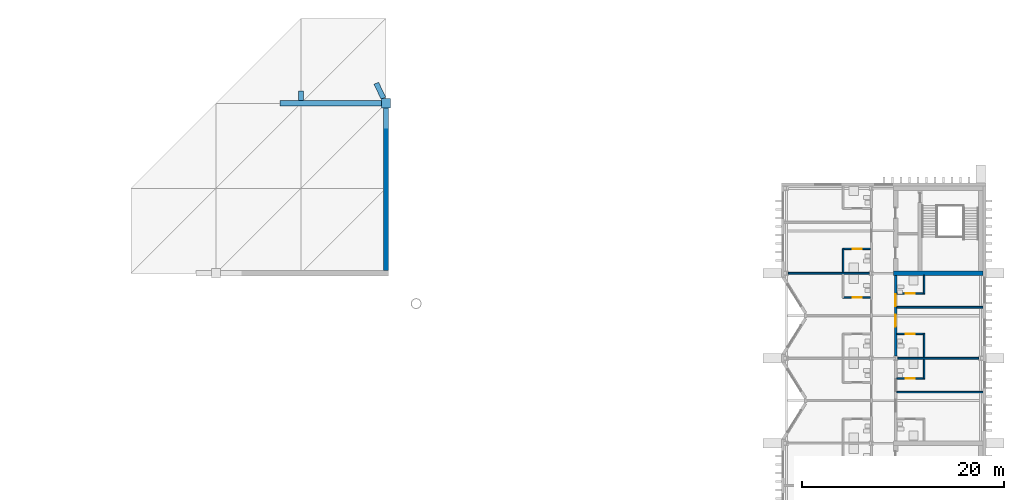
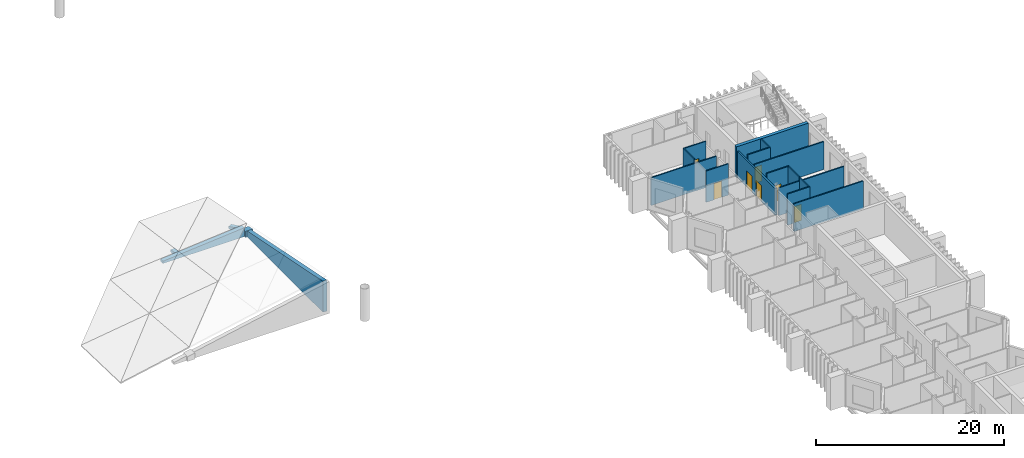
# One storey, part 13 of 17: 20 walls, 7 doors, 7 openings.
"""IFC4 building model written with IfcOpenShell, lengths in metres."""

from ifc_helpers import new_model, si_unit, direction, frame, frame_2d, origin, place, context, subcontext, project, spatial, polyline, rectangle, outline, extrude, material, layer, layer_set, type_object, element, fill, save


model = new_model("IFC4")

# Units and contexts
model_context = context("Model", 3, precision=1e-05, world=origin(), true_north=direction((0.0, 1.0)))
body_context = subcontext(model_context, "Body", "Model", "MODEL_VIEW")
ifc_project = project(units=[si_unit("LENGTHUNIT", "METRE"), si_unit("AREAUNIT", "SQUARE_METRE"), si_unit("VOLUMEUNIT", "CUBIC_METRE"), si_unit("PLANEANGLEUNIT", "RADIAN"), si_unit("MASSUNIT", "GRAM", prefix="KILO")], contexts=[model_context])

# Site, building, storey
site_placement = place(None, origin())
site = spatial("IfcSite", under=ifc_project, at=site_placement, CompositionType="ELEMENT")
building_placement = place(site_placement, origin())
building = spatial("IfcBuilding", under=site, at=building_placement, Name="Cresset Court Congress Hotel", CompositionType="ELEMENT")
storey_placement = place(building_placement, frame((0.0, 0.0, 31.199951171875)))
storey = spatial("IfcBuildingStorey", under=building, at=storey_placement, Name="L07", CompositionType="ELEMENT", Elevation=31.199951171875)

# Wall, openings, doors
ifc_material_1 = material(Name="Gypsum board partition")
ifc_layer_1 = layer(ifc_material_1, 0.199951171875)
ifc_layer_set_1 = layer_set([ifc_layer_1], Name="Corridor wall 200")
wall_type_1 = type_object("IfcWallType", Name="Corridor wall 200", PredefinedType="PARTITIONING", material=ifc_layer_set_1)
wall_1_placement = place(storey_placement, frame((168.0, 50.60009765625, 0.0), z_axis=(0.0, 0.0, 1.0), x_axis=(0.0, 1.0, 0.0)))
wall_1 = element("IfcWall", 1, at=wall_1_placement, inside=storey, type_object=wall_type_1, Name="A.wl.L07.081", PredefinedType="PARTITIONING", context=body_context, shape_type="SweptSolid", body=[
    extrude(rectangle(XDim=8.0, YDim=0.199951171875, at=frame_2d((4.0, 0.0))), origin(), (0.0, 0.0, 1.0), 3.449951171875),
])
opening_1_placement = place(wall_1_placement, frame((2.919921875, 0.0, 0.0)))
opening_1 = element("IfcOpeningElement", 2, at=opening_1_placement, cuts=wall_1, Name="Opening DA-07-46", PredefinedType="OPENING", context=body_context, shape_type="SweptSolid", body=[
    extrude(rectangle(XDim=1.199951171875, YDim=2.10009765625, at=frame_2d((0.60009765625, 1.050048828125))), frame((0.0, 0.10986328125, 0.0), z_axis=(0.0, -1.0, 0.0), x_axis=(1.0, 0.0, 0.0)), (0.0, 0.0, 1.0), 0.219970703125),
])
opening_2_placement = place(wall_1_placement, frame((4.919921875, 0.0, 0.0)))
opening_2 = element("IfcOpeningElement", 3, at=opening_2_placement, cuts=wall_1, Name="Opening DA-07-48", PredefinedType="OPENING", context=body_context, shape_type="SweptSolid", body=[
    extrude(rectangle(XDim=1.199951171875, YDim=2.10009765625, at=frame_2d((0.60009765625, 1.050048828125))), frame((0.0, 0.10986328125, 0.0), z_axis=(0.0, -1.0, 0.0), x_axis=(1.0, 0.0, 0.0)), (0.0, 0.0, 1.0), 0.219970703125),
])
ifc_material_2 = material(Name="timber", Category="wood")
door_type_1 = type_object("IfcDoorType", Name="Guest-room entry door 1200x2100 FD30S", OperationType="SINGLE_SWING_LEFT", PredefinedType="DOOR", material=ifc_material_2)
door_1_placement = place(opening_1_placement, origin())
door_1 = element("IfcDoor", 4, at=door_1_placement, inside=storey, type_object=door_type_1, Name="Door DA-07-46", OperationType="SINGLE_SWING_RIGHT", OverallHeight=2.10009765625, OverallWidth=1.199951171875, PredefinedType="DOOR", context=body_context, shape_type="SweptSolid", body=[
    extrude(rectangle(XDim=1.199951171875, YDim=2.10009765625, at=frame_2d((0.60009765625, 1.050048828125))), frame((0.0, 0.02490234375, 0.0), z_axis=(0.0, -1.0, 0.0), x_axis=(1.0, 0.0, 0.0)), (0.0, 0.0, 1.0), 0.050048828125),
])
fill(opening_1, door_1)
door_2_placement = place(opening_2_placement, origin())
door_2 = element("IfcDoor", 5, at=door_2_placement, inside=storey, type_object=door_type_1, Name="Door DA-07-48", OperationType="SINGLE_SWING_LEFT", OverallHeight=2.10009765625, OverallWidth=1.199951171875, PredefinedType="DOOR", context=body_context, shape_type="SweptSolid", body=[
    extrude(rectangle(XDim=1.199951171875, YDim=2.10009765625, at=frame_2d((0.60009765625, 1.050048828125))), frame((0.0, 0.02490234375, 0.0), z_axis=(0.0, -1.0, 0.0), x_axis=(1.0, 0.0, 0.0)), (0.0, 0.0, 1.0), 0.050048828125),
])
fill(opening_2, door_2)

# Wall, opening, door
ifc_material_3 = material(Name="Gypsum board partition")
ifc_layer_2 = layer(ifc_material_3, 0.14990234375)
ifc_layer_set_2 = layer_set([ifc_layer_2], Name="En-suite wall 150")
wall_type_2 = type_object("IfcWallType", Name="En-suite wall 150", PredefinedType="PARTITIONING", material=ifc_layer_set_2)
wall_2_placement = place(storey_placement, frame((162.75, 56.39990234375, 0.0), z_axis=(0.0, 0.0, 1.0), x_axis=(1.0, 0.0, 0.0)))
wall_2 = element("IfcWall", 6, at=wall_2_placement, inside=storey, type_object=wall_type_2, Name="A.wl.L07.028", PredefinedType="PARTITIONING", context=body_context, shape_type="SweptSolid", body=[
    extrude(rectangle(XDim=2.75, YDim=0.14990234375, at=frame_2d((1.375, 0.0))), origin(), (0.0, 0.0, 1.0), 4.050048828125),
])
opening_3_placement = place(wall_2_placement, frame((0.97998046875, 0.0, 0.0)))
opening_3 = element("IfcOpeningElement", 7, at=opening_3_placement, cuts=wall_2, Name="Opening DA-07-27", PredefinedType="OPENING", context=body_context, shape_type="SweptSolid", body=[
    extrude(rectangle(XDim=0.89990234375, YDim=2.10009765625, at=frame_2d((0.449951171875, 1.050048828125))), frame((0.0, 0.0849609375, 0.0), z_axis=(0.0, -1.0, 0.0), x_axis=(1.0, 0.0, 0.0)), (0.0, 0.0, 1.0), 0.169921875),
])
ifc_material_4 = material(Name="timber", Category="wood")
door_type_2 = type_object("IfcDoorType", Name="En-suite door 900x2100", OperationType="SINGLE_SWING_LEFT", PredefinedType="DOOR", material=ifc_material_4)
door_3_placement = place(opening_3_placement, origin())
door_3 = element("IfcDoor", 8, at=door_3_placement, inside=storey, type_object=door_type_2, Name="Door DA-07-27", OperationType="SINGLE_SWING_LEFT", OverallHeight=2.10009765625, OverallWidth=0.89990234375, PredefinedType="DOOR", context=body_context, shape_type="SweptSolid", body=[
    extrude(rectangle(XDim=0.89990234375, YDim=2.10009765625, at=frame_2d((0.449951171875, 1.050048828125))), frame((0.0, 0.02490234375, 0.0), z_axis=(0.0, -1.0, 0.0), x_axis=(1.0, 0.0, 0.0)), (0.0, 0.0, 1.0), 0.050048828125),
])
fill(opening_3, door_3)

# Wall
wall_3_placement = place(storey_placement, frame((162.800048828125, 58.875, 0.0), z_axis=(0.0, 0.0, 1.0), x_axis=(0.0, 1.0, 0.0)))
element("IfcWall", 9, at=wall_3_placement, inside=storey, type_object=wall_type_2, Name="A.wl.L07.029", PredefinedType="PARTITIONING", context=body_context, shape_type="SweptSolid", body=[
    extrude(rectangle(XDim=2.324951171875, YDim=0.14990234375, at=frame_2d((1.16259765625, 0.0))), origin(), (0.0, 0.0, 1.0), 4.050048828125),
])

# Wall, opening, door
wall_4_placement = place(storey_placement, frame((162.75, 61.199951171875, 0.0), z_axis=(0.0, 0.0, 1.0), x_axis=(1.0, 0.0, 0.0)))
wall_4 = element("IfcWall", 10, at=wall_4_placement, inside=storey, type_object=wall_type_2, Name="A.wl.L07.030", PredefinedType="PARTITIONING", context=body_context, shape_type="SweptSolid", body=[
    extrude(rectangle(XDim=2.75, YDim=0.14990234375, at=frame_2d((1.375, 0.0))), origin(), (0.0, 0.0, 1.0), 4.050048828125),
])
opening_4_placement = place(wall_4_placement, frame((0.97998046875, 0.0, 0.0)))
opening_4 = element("IfcOpeningElement", 11, at=opening_4_placement, cuts=wall_4, Name="Opening DA-07-29", PredefinedType="OPENING", context=body_context, shape_type="SweptSolid", body=[
    extrude(rectangle(XDim=0.89990234375, YDim=2.10009765625, at=frame_2d((0.449951171875, 1.050048828125))), frame((0.0, 0.0849609375, 0.0), z_axis=(0.0, -1.0, 0.0), x_axis=(1.0, 0.0, 0.0)), (0.0, 0.0, 1.0), 0.169921875),
])
door_4_placement = place(opening_4_placement, origin())
door_4 = element("IfcDoor", 12, at=door_4_placement, inside=storey, type_object=door_type_2, Name="Door DA-07-29", OperationType="SINGLE_SWING_RIGHT", OverallHeight=2.10009765625, OverallWidth=0.89990234375, PredefinedType="DOOR", context=body_context, shape_type="SweptSolid", body=[
    extrude(rectangle(XDim=0.89990234375, YDim=2.10009765625, at=frame_2d((0.449951171875, 1.050048828125))), frame((0.0, 0.02490234375, 0.0), z_axis=(0.0, -1.0, 0.0), x_axis=(1.0, 0.0, 0.0)), (0.0, 0.0, 1.0), 0.050048828125),
])
fill(opening_4, door_4)

# Wall
wall_5_placement = place(storey_placement, frame((170.800048828125, 48.39990234375, 0.0), z_axis=(0.0, 0.0, 1.0), x_axis=(0.0, 1.0, 0.0)))
element("IfcWall", 13, at=wall_5_placement, inside=storey, type_object=wall_type_2, Name="A.wl.L07.043", PredefinedType="PARTITIONING", context=body_context, shape_type="SweptSolid", body=[
    extrude(rectangle(XDim=1.925048828125, YDim=0.14990234375, at=frame_2d((0.96240234375, 0.0))), origin(), (0.0, 0.0, 1.0), 4.050048828125),
])

# Wall, opening, door
wall_6_placement = place(storey_placement, frame((170.85009765625, 48.39990234375, 0.0), z_axis=(0.0, 0.0, 1.0), x_axis=(-1.0, 0.0, 0.0)))
wall_6 = element("IfcWall", 14, at=wall_6_placement, inside=storey, type_object=wall_type_2, Name="A.wl.L07.044", PredefinedType="PARTITIONING", context=body_context, shape_type="SweptSolid", body=[
    extrude(rectangle(XDim=2.75, YDim=0.14990234375, at=frame_2d((1.375, 0.0))), origin(), (0.0, 0.0, 1.0), 4.050048828125),
])
opening_5_placement = place(wall_6_placement, frame((0.97998046875, 0.0, 0.0)))
opening_5 = element("IfcOpeningElement", 15, at=opening_5_placement, cuts=wall_6, Name="Opening DA-07-43", PredefinedType="OPENING", context=body_context, shape_type="SweptSolid", body=[
    extrude(rectangle(XDim=0.89990234375, YDim=2.10009765625, at=frame_2d((0.449951171875, 1.050048828125))), frame((0.0, 0.0849609375, 0.0), z_axis=(0.0, -1.0, 0.0), x_axis=(1.0, 0.0, 0.0)), (0.0, 0.0, 1.0), 0.169921875),
])
door_5_placement = place(opening_5_placement, origin())
door_5 = element("IfcDoor", 16, at=door_5_placement, inside=storey, type_object=door_type_2, Name="Door DA-07-43", OperationType="SINGLE_SWING_LEFT", OverallHeight=2.10009765625, OverallWidth=0.89990234375, PredefinedType="DOOR", context=body_context, shape_type="SweptSolid", body=[
    extrude(rectangle(XDim=0.89990234375, YDim=2.10009765625, at=frame_2d((0.449951171875, 1.050048828125))), frame((0.0, 0.02490234375, 0.0), z_axis=(0.0, -1.0, 0.0), x_axis=(1.0, 0.0, 0.0)), (0.0, 0.0, 1.0), 0.050048828125),
])
fill(opening_5, door_5)

# Wall
wall_7_placement = place(storey_placement, frame((170.800048828125, 50.47509765625, 0.0), z_axis=(0.0, 0.0, 1.0), x_axis=(0.0, 1.0, 0.0)))
element("IfcWall", 17, at=wall_7_placement, inside=storey, type_object=wall_type_2, Name="A.wl.L07.045", PredefinedType="PARTITIONING", context=body_context, shape_type="SweptSolid", body=[
    extrude(rectangle(XDim=2.324951171875, YDim=0.14990234375, at=frame_2d((1.16259765625, 0.0))), origin(), (0.0, 0.0, 1.0), 4.050048828125),
])

# Wall, opening, door
wall_8_placement = place(storey_placement, frame((170.85009765625, 52.800048828125, 0.0), z_axis=(0.0, 0.0, 1.0), x_axis=(-1.0, 0.0, 0.0)))
wall_8 = element("IfcWall", 18, at=wall_8_placement, inside=storey, type_object=wall_type_2, Name="A.wl.L07.046", PredefinedType="PARTITIONING", context=body_context, shape_type="SweptSolid", body=[
    extrude(rectangle(XDim=2.75, YDim=0.14990234375, at=frame_2d((1.375, 0.0))), origin(), (0.0, 0.0, 1.0), 4.050048828125),
])
opening_6_placement = place(wall_8_placement, frame((0.97998046875, 0.0, 0.0)))
opening_6 = element("IfcOpeningElement", 19, at=opening_6_placement, cuts=wall_8, Name="Opening DA-07-45", PredefinedType="OPENING", context=body_context, shape_type="SweptSolid", body=[
    extrude(rectangle(XDim=0.89990234375, YDim=2.10009765625, at=frame_2d((0.449951171875, 1.050048828125))), frame((0.0, 0.0849609375, 0.0), z_axis=(0.0, -1.0, 0.0), x_axis=(1.0, 0.0, 0.0)), (0.0, 0.0, 1.0), 0.169921875),
])
door_6_placement = place(opening_6_placement, origin())
door_6 = element("IfcDoor", 20, at=door_6_placement, inside=storey, type_object=door_type_2, Name="Door DA-07-45", OperationType="SINGLE_SWING_RIGHT", OverallHeight=2.10009765625, OverallWidth=0.89990234375, PredefinedType="DOOR", context=body_context, shape_type="SweptSolid", body=[
    extrude(rectangle(XDim=0.89990234375, YDim=2.10009765625, at=frame_2d((0.449951171875, 1.050048828125))), frame((0.0, 0.02490234375, 0.0), z_axis=(0.0, -1.0, 0.0), x_axis=(1.0, 0.0, 0.0)), (0.0, 0.0, 1.0), 0.050048828125),
])
fill(opening_6, door_6)

# Wall
wall_9_placement = place(storey_placement, frame((170.800048828125, 56.800048828125, 0.0), z_axis=(0.0, 0.0, 1.0), x_axis=(0.0, 1.0, 0.0)))
element("IfcWall", 21, at=wall_9_placement, inside=storey, type_object=wall_type_2, Name="A.wl.L07.047", PredefinedType="PARTITIONING", context=body_context, shape_type="SweptSolid", body=[
    extrude(rectangle(XDim=1.800048828125, YDim=0.14990234375, at=frame_2d((0.89990234375, 0.0))), origin(), (0.0, 0.0, 1.0), 4.050048828125),
])

# Wall, opening, door
wall_10_placement = place(storey_placement, frame((170.85009765625, 56.800048828125, 0.0), z_axis=(0.0, 0.0, 1.0), x_axis=(-1.0, 0.0, 0.0)))
wall_10 = element("IfcWall", 22, at=wall_10_placement, inside=storey, type_object=wall_type_2, Name="A.wl.L07.048", PredefinedType="PARTITIONING", context=body_context, shape_type="SweptSolid", body=[
    extrude(rectangle(XDim=2.75, YDim=0.14990234375, at=frame_2d((1.375, 0.0))), origin(), (0.0, 0.0, 1.0), 4.050048828125),
])
opening_7_placement = place(wall_10_placement, frame((0.97998046875, 0.0, 0.0)))
opening_7 = element("IfcOpeningElement", 23, at=opening_7_placement, cuts=wall_10, Name="Opening DA-07-47", PredefinedType="OPENING", context=body_context, shape_type="SweptSolid", body=[
    extrude(rectangle(XDim=0.89990234375, YDim=2.10009765625, at=frame_2d((0.449951171875, 1.050048828125))), frame((0.0, 0.0849609375, 0.0), z_axis=(0.0, -1.0, 0.0), x_axis=(1.0, 0.0, 0.0)), (0.0, 0.0, 1.0), 0.169921875),
])
door_7_placement = place(opening_7_placement, origin())
door_7 = element("IfcDoor", 24, at=door_7_placement, inside=storey, type_object=door_type_2, Name="Door DA-07-47", OperationType="SINGLE_SWING_LEFT", OverallHeight=2.10009765625, OverallWidth=0.89990234375, PredefinedType="DOOR", context=body_context, shape_type="SweptSolid", body=[
    extrude(rectangle(XDim=0.89990234375, YDim=2.10009765625, at=frame_2d((0.449951171875, 1.050048828125))), frame((0.0, 0.02490234375, 0.0), z_axis=(0.0, -1.0, 0.0), x_axis=(1.0, 0.0, 0.0)), (0.0, 0.0, 1.0), 0.050048828125),
])
fill(opening_7, door_7)

# Walls
ifc_material_5 = material(Name="Gypsum board partition")
ifc_layer_3 = layer(ifc_material_5, 0.14990234375)
ifc_layer_set_3 = layer_set([ifc_layer_3], Name="Guest-room partition 150")
wall_type_3 = type_object("IfcWallType", Name="Guest-room partition 150", PredefinedType="PARTITIONING", material=ifc_layer_set_3)
for number, where, z_axis, x_axis, name in (
    (25, (157.39990234375, 58.800048828125, 0.0), (0.0, 0.0, 1.0), (1.0, 0.0, 0.0), "A.wl.L07.055"),
    (26, (168.199951171875, 50.39990234375, 0.0), (0.0, 0.0, 1.0), (1.0, 0.0, 0.0), "A.wl.L07.057"),
):
    element("IfcWall", number, at=place(storey_placement, frame(where, z_axis=z_axis, x_axis=x_axis)), inside=storey, type_object=wall_type_3, Name=name, PredefinedType="PARTITIONING", context=body_context, shape_type="SweptSolid", body=[
        extrude(rectangle(XDim=8.0, YDim=0.14990234375, at=frame_2d((4.0, 0.0))), origin(), (0.0, 0.0, 1.0), 3.60400390625),
    ])
for number, where, z_axis, x_axis, name in (
    (27, (168.10009765625, 47.0400390625, 0.0), (0.0, 0.0, 1.0), (1.0, 0.0, 0.0), "A.wl.L07.068"),
    (28, (168.10009765625, 55.43994140625, 0.0), (0.0, 0.0, 1.0), (1.0, 0.0, 0.0), "A.wl.L07.069"),
):
    element("IfcWall", number, at=place(storey_placement, frame(where, z_axis=z_axis, x_axis=x_axis)), inside=storey, type_object=wall_type_3, Name=name, PredefinedType="PARTITIONING", context=body_context, shape_type="SweptSolid", body=[
        extrude(rectangle(XDim=8.52001953125, YDim=0.14990234375, at=frame_2d((4.260009765625, 0.0))), origin(), (0.0, 0.0, 1.0), 3.60400390625),
    ])
ifc_material_6 = material(Name="Concrete C50", Category="concrete")
ifc_layer_4 = layer(ifc_material_6, 0.5)
ifc_layer_set_4 = layer_set([ifc_layer_4], Name="Hall inner wall 500")
wall_type_4 = type_object("IfcWallType", Name="Hall inner wall 500", PredefinedType="SOLIDWALL", material=ifc_layer_set_4)
wall_11_placement = place(storey_placement, frame((107.152099609375, 75.60009765625, 0.0), z_axis=(0.0, 0.0, 1.0), x_axis=(1.0, 0.0, 0.0)))
element("IfcWall", 29, at=wall_11_placement, inside=storey, type_object=wall_type_4, Name="Wall CI-RL07", PredefinedType="SOLIDWALL", context=body_context, shape_type="SweptSolid", body=[
    extrude(outline(polyline([(0.0, 0.0), (9.997802734375, 0.0), (9.997802734375, 1.159912109375), (0.0, 0.300048828125), (0.0, 0.0)])), frame((0.0, 0.25, 0.0), z_axis=(0.0, -1.0, 0.0), x_axis=(1.0, 0.0, 0.0)), (0.0, 0.0, 1.0), 0.5),
])
wall_12_placement = place(storey_placement, frame((109.199951171875, 76.82861328125, 0.0), z_axis=(0.0, 0.0, 1.0), x_axis=(0.0, -1.0, 0.0)))
element("IfcWall", 30, at=wall_12_placement, inside=storey, type_object=wall_type_4, Name="Wall CI-EL07", PredefinedType="SOLIDWALL", context=body_context, shape_type="SweptSolid", body=[
    extrude(outline(polyline([(0.0, 0.0), (0.978515625, 0.0), (0.978759765625, 0.4404296875), (0.0, 0.300048828125), (0.0, 0.0)])), frame((0.0, 0.25, 0.0), z_axis=(0.0, -1.0, 0.0), x_axis=(1.0, 0.0, 0.0)), (0.0, 0.0, 1.0), 0.5),
])
ifc_material_7 = material(Name="Limestone-faced precast concrete C50", Category="masonry")
ifc_layer_5 = layer(ifc_material_7, 0.5)
ifc_layer_set_5 = layer_set([ifc_layer_5], Name="Hall perimeter wall 500")
wall_type_5 = type_object("IfcWallType", Name="Hall perimeter wall 500", PredefinedType="SOLIDWALL", material=ifc_layer_set_5)
wall_13_placement = place(storey_placement, frame((117.60009765625, 75.14990234375, 0.0), z_axis=(0.0, 0.0, 1.0), x_axis=(0.0, -1.0, 0.0)))
element("IfcWall", 31, at=wall_13_placement, inside=storey, type_object=wall_type_5, Name="Wall CW-EL07-1", PredefinedType="SOLIDWALL", context=body_context, shape_type="SweptSolid", body=[
    extrude(outline(polyline([(0.0, 0.0), (16.099853515625, 0.0), (16.10009765625, 4.018310546875), (0.0, 0.787353515625), (0.0, 0.0)])), frame((0.0, 0.25, 0.0), z_axis=(0.0, -1.0, 0.0), x_axis=(1.0, 0.0, 0.0)), (0.0, 0.0, 1.0), 0.5),
])
wall_14_placement = place(storey_placement, frame((116.65771484375, 77.578857421875, 0.0), z_axis=(0.0, 0.0, 1.0), x_axis=(0.429898862904, -0.902877050142, 0.0)))
element("IfcWall", 32, at=wall_14_placement, inside=storey, type_object=wall_type_5, Name="Wall CW-EL07-2", PredefinedType="SOLIDWALL", context=body_context, shape_type="SweptSolid", body=[
    extrude(outline(polyline([(0.0, 0.0), (1.637939453125, 0.0), (1.637939453125, 0.596923828125), (0.0, 0.300048828125), (0.0, 0.0)])), frame((0.0, 0.25, 0.0), z_axis=(0.0, -1.0, 0.0), x_axis=(1.0, 0.0, 0.0)), (0.0, 0.0, 1.0), 0.5),
])
ifc_material_8 = material(Name="Concrete C50", Category="concrete")
ifc_layer_6 = layer(ifc_material_8, 0.89990234375)
ifc_layer_set_6 = layer_set([ifc_layer_6], Name="Hall pilaster 900x900")
wall_type_6 = type_object("IfcWallType", Name="Hall pilaster 900x900", PredefinedType="SOLIDWALL", material=ifc_layer_set_6)
wall_15_placement = place(storey_placement, frame((117.60009765625, 75.14990234375, 0.0), z_axis=(0.0, 0.0, 1.0), x_axis=(0.0, 1.0, 0.0)))
element("IfcWall", 33, at=wall_15_placement, inside=storey, type_object=wall_type_6, Name="Pilaster P-E1", PredefinedType="SOLIDWALL", context=body_context, shape_type="SweptSolid", body=[
    extrude(outline(polyline([(0.0, 0.0), (0.900146484375, 0.0), (0.89990234375, 0.60693359375), (0.0, 0.787353515625), (0.0, 0.0)])), frame((0.0, 0.449951171875, 0.0), z_axis=(0.0, -1.0, 0.0), x_axis=(1.0, 0.0, 0.0)), (0.0, 0.0, 1.0), 0.89990234375),
])
ifc_material_9 = material(Name="Concrete C50", Category="concrete")
ifc_layer_7 = layer(ifc_material_9, 0.39990234375)
ifc_layer_set_7 = layer_set([ifc_layer_7], Name="Stair core wall 400")
wall_type_7 = type_object("IfcWallType", Name="Stair core wall 400", PredefinedType="SOLIDWALL", material=ifc_layer_set_7)
wall_16_placement = place(storey_placement, frame((167.800048828125, 58.800048828125, 0.0), z_axis=(0.0, 0.0, 1.0), x_axis=(1.0, 0.0, 0.0)))
element("IfcWall", 34, at=wall_16_placement, inside=storey, type_object=wall_type_7, Name="A.cw.ST-A2.L07.S", PredefinedType="SOLIDWALL", context=body_context, shape_type="SweptSolid", body=[
    extrude(rectangle(XDim=8.800048828125, YDim=0.39990234375, at=frame_2d((4.39990234375, 0.0))), origin(), (0.0, 0.0, 1.0), 4.050048828125),
])

save(model, "model.ifc")
